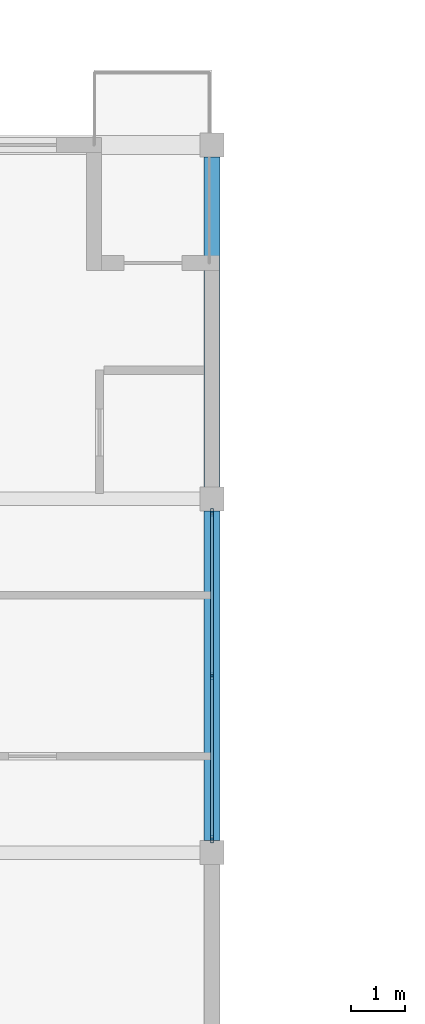
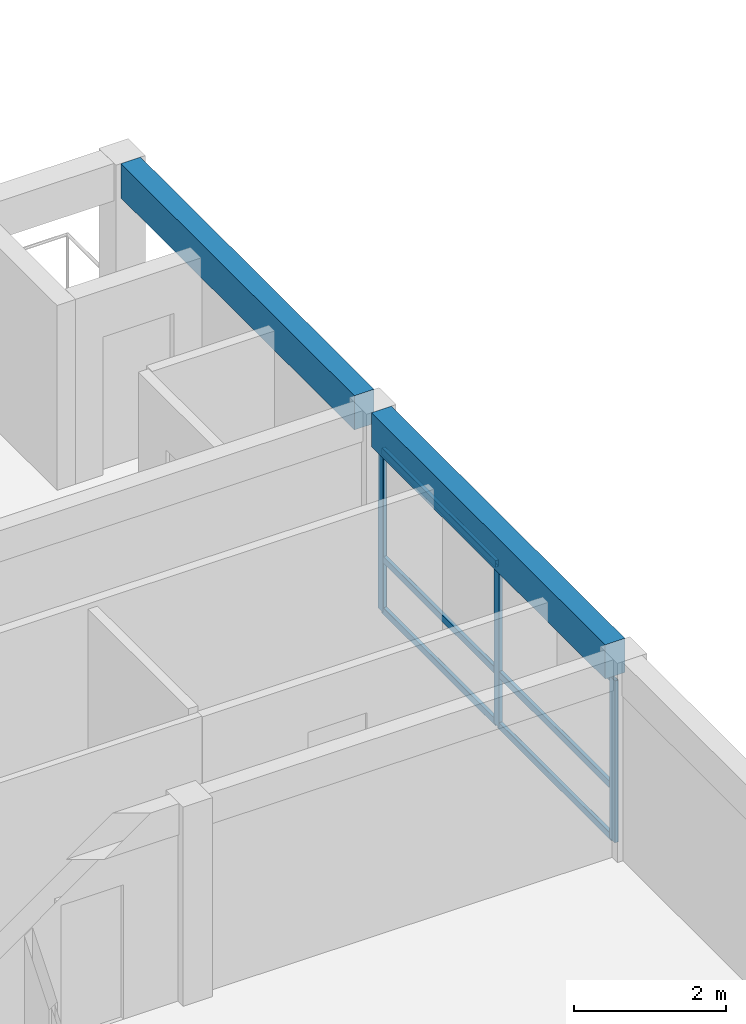
# One storey, part 11 of 34: 9 members, 2 beams, 1 element without a shape of its own.
"""IFC4 building model written with IfcOpenShell, lengths in metres."""

import ifcopenshell
import ifcopenshell.guid

model = None  # the IFC model being written
_history = None  # IfcOwnerHistory: only IFC2X3 demands one
_inside = {}  # id of a spatial element -> (the spatial element, [elements in it])
_under = {}  # id of a project, library or spatial element -> (it, [spatial elements below it])
_declared = {}  # id of a project -> (the project, [libraries it declares])
_typed = {}  # id of a type object -> (the type object, [elements of that type])
_made_of = {}  # id of a material, layer set ... -> (it, [elements and type objects made of it])


def new_model(schema):
    """Start an empty IFC model of exactly this schema.

    Asked for "IFC4X3", IfcOpenShell would pick the latest addendum, in which some entities
    have other attributes; the version numbers below select the first issue.
    IFC2X3 requires an IfcOwnerHistory on every rooted entity: one is made here for all.
    """
    global model, _history
    if schema == "IFC4X3":
        model = ifcopenshell.file(schema_version=(4, 3, 0, 0))
    else:
        model = ifcopenshell.file(schema=schema)
    _inside.clear()
    _under.clear()
    _declared.clear()
    _typed.clear()
    _made_of.clear()
    _history = None
    if model.schema == "IFC2X3":
        org = make("IfcOrganization", Name="unknown")
        user = make(
            "IfcPersonAndOrganization",
            ThePerson=make("IfcPerson", FamilyName="unknown"),
            TheOrganization=org,
        )
        app = make(
            "IfcApplication",
            ApplicationDeveloper=org,
            Version="unknown",
            ApplicationFullName="unknown",
            ApplicationIdentifier="unknown",
        )
        _history = make(
            "IfcOwnerHistory",
            OwningUser=user,
            OwningApplication=app,
            ChangeAction="ADDED",
            CreationDate=0,
        )
    return model


def make(cls, **values):
    """One entity of the class cls with the attributes given. An attribute that is None is left unset."""
    return model.create_entity(
        cls, **{name: value for name, value in values.items() if value is not None}
    )


def rooted(cls, **values):
    """An entity with a GlobalId (a new one), such as an element, a storey or a relation."""
    return make(cls, GlobalId=ifcopenshell.guid.new(), OwnerHistory=_history, **values)


def si_unit(unit_type, name, prefix=None):
    """IfcSIUnit, for example si_unit("LENGTHUNIT", "METRE", prefix="MILLI")."""
    return make("IfcSIUnit", UnitType=unit_type, Prefix=prefix, Name=name)


def assignment(units):
    """IfcUnitAssignment: the units of a project."""
    return None if units is None else make("IfcUnitAssignment", Units=units)


def point(xyz):
    """IfcCartesianPoint."""
    return None if xyz is None else make("IfcCartesianPoint", Coordinates=xyz)


def direction(xyz):
    """IfcDirection."""
    return None if xyz is None else make("IfcDirection", DirectionRatios=xyz)


def frame(location, z_axis=None, x_axis=None):
    """IfcAxis2Placement3D, a coordinate frame: its origin and axes. An axis left out is left unset."""
    return make(
        "IfcAxis2Placement3D",
        Location=point(location),
        Axis=direction(z_axis),
        RefDirection=direction(x_axis),
    )


def frame_2d(location, x_axis=None):
    """IfcAxis2Placement2D, a coordinate frame in the plane: its origin and x axis."""
    return make(
        "IfcAxis2Placement2D", Location=point(location), RefDirection=direction(x_axis)
    )


def origin():
    """The frame at (0, 0, 0) with its axes left unset."""
    return frame((0.0, 0.0, 0.0))


def origin_2d():
    """The frame at (0, 0) in the plane with its x axis left unset."""
    return frame_2d((0.0, 0.0))


def place(relative_to, where):
    """IfcLocalPlacement: puts the frame where relative to a parent placement (None: the world)."""
    return make(
        "IfcLocalPlacement", PlacementRelTo=relative_to, RelativePlacement=where
    )


def context(
    kind, dimensions, precision=None, world=None, true_north=None, identifier=None
):
    """IfcGeometricRepresentationContext, for example the 3D "Model" context."""
    return make(
        "IfcGeometricRepresentationContext",
        ContextIdentifier=identifier,
        ContextType=kind,
        CoordinateSpaceDimension=dimensions,
        Precision=precision,
        WorldCoordinateSystem=world,
        TrueNorth=true_north,
    )


def subcontext(parent, identifier, kind, view, scale=None):
    """IfcGeometricRepresentationSubContext, for example "Body" below "Model"."""
    return make(
        "IfcGeometricRepresentationSubContext",
        ContextIdentifier=identifier,
        ContextType=kind,
        ParentContext=parent,
        TargetScale=scale,
        TargetView=view,
    )


def project(units=None, contexts=None):
    """IfcProject with its units and contexts."""
    return rooted(
        "IfcProject",
        Name="project",
        RepresentationContexts=contexts,
        UnitsInContext=assignment(units),
    )


def spatial(cls, under=None, at=None, **own):
    """A site, building, storey or space (cls), placed at a placement, below another one or the project."""
    s = rooted(cls, ObjectPlacement=at, **own)
    if under is not None:
        _under.setdefault(under.id(), (under, []))[1].append(s)
    return s


def profile(cls, at=None, kind="AREA", **sizes):
    """A parametric profile (cls). Its sizes go by their IFC names, for example OverallWidth=200.0."""
    return make(cls, ProfileType=kind, Position=at, **sizes)


def rectangle(**sizes):
    """IfcRectangleProfileDef."""
    return profile("IfcRectangleProfileDef", **sizes)


def hollow_rectangle(**sizes):
    """IfcRectangleHollowProfileDef."""
    return profile("IfcRectangleHollowProfileDef", **sizes)


def extrude(swept, where, along, depth):
    """IfcExtrudedAreaSolid: the profile swept, set in the frame where, extruded along a direction by depth."""
    return make(
        "IfcExtrudedAreaSolid",
        SweptArea=swept,
        Position=where,
        ExtrudedDirection=direction(along),
        Depth=depth,
    )


def shape(context_of_items, identifier, shape_type, items):
    """IfcShapeRepresentation: the items that make up one representation, for example the "Body"."""
    return make(
        "IfcShapeRepresentation",
        ContextOfItems=context_of_items,
        RepresentationIdentifier=identifier,
        RepresentationType=shape_type,
        Items=items,
    )


def material(Name=None, Category=None):
    """IfcMaterial."""
    return make("IfcMaterial", Name=Name, Category=Category)


def material_profile(
    of_material, cross_section, Name=None, Category=None, Priority=None
):
    """IfcMaterialProfile: a cross section and its material."""
    return make(
        "IfcMaterialProfile",
        Name=Name,
        Material=of_material,
        Profile=cross_section,
        Priority=Priority,
        Category=Category,
    )


def profile_set(profiles, Name=None, composite=None):
    """IfcMaterialProfileSet."""
    return make(
        "IfcMaterialProfileSet",
        Name=Name,
        MaterialProfiles=profiles,
        CompositeProfile=composite,
    )


def made_of(thing, what):
    """Note that an element or type object is made of a material, layer set ...; save() writes the relation."""
    if what is not None:
        _made_of.setdefault(what.id(), (what, []))[1].append(thing)
    return thing


def type_object(cls, material=None, **own):
    """A type object (cls), such as IfcWallType, which elements share."""
    return made_of(rooted(cls, **own), material)


def element(
    cls,
    number,
    at=None,
    inside=None,
    cuts=None,
    type_object=None,
    material=None,
    context=None,
    identifier="Body",
    shape_type=None,
    held_by="IfcProductDefinitionShape",
    body=None,
    shapes=None,
    **own,
):
    """One element of the class cls, such as IfcWall. Its Tag is "e" and its number.

    at: its placement. inside: the storey or other place that contains it. cuts: it is an
    opening in that element (IfcRelVoidsElement). A single representation is given by context,
    identifier, shape_type and body (its items); several are given by shapes. held_by: the class
    of the entity that holds the representations. save() writes the other relations.
    """
    e = rooted(cls, Tag="e%d" % number, ObjectPlacement=at, **own)
    if body is not None:
        shapes = [shape(context, identifier, shape_type, body)]
    if shapes is not None:
        e.Representation = make(held_by, Representations=shapes)
    if inside is not None:
        _inside.setdefault(inside.id(), (inside, []))[1].append(e)
    if cuts is not None:
        rooted(
            "IfcRelVoidsElement", RelatingBuildingElement=cuts, RelatedOpeningElement=e
        )
    if type_object is not None:
        _typed.setdefault(type_object.id(), (type_object, []))[1].append(e)
    return made_of(e, material)


def aggregate(whole, parts):
    """IfcRelAggregates: a whole, such as a stair, and the parts it consists of."""
    return rooted("IfcRelAggregates", RelatingObject=whole, RelatedObjects=parts)


def save(model, path):
    """Write the relations noted so far, then the file.

    IfcRelAggregates (storeys below a building ...), IfcRelContainedInSpatialStructure (elements
    in a storey), IfcRelDefinesByType, IfcRelAssociatesMaterial and IfcRelDeclares: one each for
    every whole, place, type object, material and project.
    """
    for whole, parts in _under.values():
        aggregate(whole, parts)
    for where, things in _inside.values():
        rooted(
            "IfcRelContainedInSpatialStructure",
            RelatedElements=things,
            RelatingStructure=where,
        )
    for kind, things in _typed.values():
        rooted("IfcRelDefinesByType", RelatedObjects=things, RelatingType=kind)
    for what, things in _made_of.values():
        rooted("IfcRelAssociatesMaterial", RelatedObjects=things, RelatingMaterial=what)
    for by, libraries in _declared.values():
        rooted("IfcRelDeclares", RelatingContext=by, RelatedDefinitions=libraries)
    model.write(path)


model = new_model("IFC4")

# Units and contexts
model_context = context("Model", 3, precision=1e-05, world=origin(), true_north=direction((0.0, 1.0)))
body_context = subcontext(model_context, "Body", "Model", "MODEL_VIEW")
ifc_project = project(units=[si_unit("LENGTHUNIT", "METRE"), si_unit("AREAUNIT", "SQUARE_METRE"), si_unit("VOLUMEUNIT", "CUBIC_METRE"), si_unit("PLANEANGLEUNIT", "RADIAN"), si_unit("MASSUNIT", "GRAM", prefix="KILO")], contexts=[model_context])

# Site, building, storey
site_placement = place(None, origin())
site = spatial("IfcSite", under=ifc_project, at=site_placement, CompositionType="ELEMENT")
building_placement = place(site_placement, origin())
building = spatial("IfcBuilding", under=site, at=building_placement, Name="Kernevlak Ridge Housing Community", CompositionType="ELEMENT")
storey_placement = place(building_placement, frame((0.0, 0.0, 34.0)))
storey = spatial("IfcBuildingStorey", under=building, at=storey_placement, Name="L10", CompositionType="ELEMENT", Elevation=34.0)

# Curtain wall, members
ifc_material_1 = material(Name="Aluminium EN AW-6060 anodised and laminated glass", Category="aluminium")
curtain_wall_type = type_object("IfcCurtainWallType", Name="CW-12", PredefinedType="NOTDEFINED", material=ifc_material_1)
curtain_wall_placement = place(storey_placement, origin())
curtain_wall = element("IfcCurtainWall", 1, at=curtain_wall_placement, inside=storey, type_object=curtain_wall_type, Name="Curtain wall CW-12 CW-L10-033", PredefinedType="NOTDEFINED")
ifc_material_2 = material(Name="Aluminium EN AW-6060 anodised", Category="aluminium")
ifc_material_profile_1 = material_profile(ifc_material_2, hollow_rectangle(XDim=0.054931640625, YDim=0.139892578125, WallThickness=0.00390625, InnerFilletRadius=0.001953125, OuterFilletRadius=0.00390625, at=origin_2d()), Name="ALU 55x140x4")
ifc_profile_set_1 = profile_set([ifc_material_profile_1], Name="Aluminium EN AW-6060 anodised")
member_type_1 = type_object("IfcMemberType", Name="MU-01", PredefinedType="MULLION", material=ifc_profile_set_1)
member_1_placement = place(storey_placement, frame((48.60009765625, 82.8525390625, 0.0), z_axis=(0.0, 0.0, 1.0), x_axis=(-1.0, 0.0, 0.0)))
member_1 = element("IfcMember", 2, at=member_1_placement, type_object=member_type_1, Name="CW-12 mullion 1", PredefinedType="MULLION", context=body_context, shape_type="SweptSolid", body=[
    extrude(hollow_rectangle(XDim=0.054931640625, YDim=0.139892578125, WallThickness=0.00390625, InnerFilletRadius=0.001953125, OuterFilletRadius=0.00390625, at=origin_2d()), origin(), (0.0, 0.0, 1.0), 2.60009765625),
])
member_2_placement = place(storey_placement, frame((48.60009765625, 85.89990234375, 0.0), z_axis=(0.0, 0.0, 1.0), x_axis=(-1.0, 0.0, 0.0)))
member_2 = element("IfcMember", 3, at=member_2_placement, type_object=member_type_1, Name="CW-12 mullion 2", PredefinedType="MULLION", context=body_context, shape_type="SweptSolid", body=[
    extrude(hollow_rectangle(XDim=0.054931640625, YDim=0.139892578125, WallThickness=0.00390625, InnerFilletRadius=0.001953125, OuterFilletRadius=0.00390625, at=origin_2d()), origin(), (0.0, 0.0, 1.0), 2.60009765625),
])
member_3_placement = place(storey_placement, frame((48.60009765625, 88.947509765625, 0.0), z_axis=(0.0, 0.0, 1.0), x_axis=(-1.0, 0.0, 0.0)))
member_3 = element("IfcMember", 4, at=member_3_placement, type_object=member_type_1, Name="CW-12 mullion 3", PredefinedType="MULLION", context=body_context, shape_type="SweptSolid", body=[
    extrude(hollow_rectangle(XDim=0.054931640625, YDim=0.139892578125, WallThickness=0.00390625, InnerFilletRadius=0.001953125, OuterFilletRadius=0.00390625, at=origin_2d()), origin(), (0.0, 0.0, 1.0), 2.60009765625),
])

# Beams
ifc_material_3 = material(Name="Concrete C35/45", Category="concrete")
ifc_material_profile_2 = material_profile(ifc_material_3, rectangle(XDim=0.300048828125, YDim=0.550048828125, at=origin_2d()), Name="RC 300x550")
ifc_profile_set_2 = profile_set([ifc_material_profile_2], Name="Concrete C35/45")
beam_type = type_object("IfcBeamType", Name="SP-01", PredefinedType="SPANDREL", material=ifc_profile_set_2)
beam_1_placement = place(storey_placement, frame((48.60009765625, 82.824951171875, 2.925048828125), z_axis=(0.0, 1.0, 0.0), x_axis=(-1.0, 0.0, 0.0)))
element("IfcBeam", 5, at=beam_1_placement, inside=storey, type_object=beam_type, Name="Beam SP-01 L10 341", PredefinedType="SPANDREL", context=body_context, shape_type="SweptSolid", body=[
    extrude(rectangle(XDim=0.300048828125, YDim=0.550048828125, at=origin_2d()), origin(), (0.0, 0.0, 1.0), 6.150146484375),
])
beam_2_placement = place(storey_placement, frame((48.60009765625, 89.425048828125, 2.925048828125), z_axis=(0.0, 1.0, 0.0), x_axis=(-1.0, 0.0, 0.0)))
element("IfcBeam", 6, at=beam_2_placement, inside=storey, type_object=beam_type, Name="Beam SP-01 L10 342", PredefinedType="SPANDREL", context=body_context, shape_type="SweptSolid", body=[
    extrude(rectangle(XDim=0.300048828125, YDim=0.550048828125, at=origin_2d()), origin(), (0.0, 0.0, 1.0), 6.14990234375),
])

# Member
ifc_material_profile_3 = material_profile(ifc_material_2, hollow_rectangle(XDim=0.054931640625, YDim=0.110107421875, WallThickness=0.00390625, InnerFilletRadius=0.001953125, OuterFilletRadius=0.00390625, at=origin_2d()), Name="ALU 55x110x4")
ifc_profile_set_3 = profile_set([ifc_material_profile_3], Name="Aluminium EN AW-6060 anodised")
member_type_2 = type_object("IfcMemberType", Name="TM-01", PredefinedType="USERDEFINED", material=ifc_profile_set_3)
member_4_placement = place(storey_placement, frame((48.60009765625, 82.8798828125, 0.027587890625), z_axis=(0.0, 1.0, 0.0), x_axis=(-1.0, 0.0, 0.0)))
member_4 = element("IfcMember", 7, at=member_4_placement, type_object=member_type_2, Name="CW-12 transom 1.1", ObjectType="TRANSOM", PredefinedType="USERDEFINED", context=body_context, shape_type="SweptSolid", body=[
    extrude(hollow_rectangle(XDim=0.054931640625, YDim=0.110107421875, WallThickness=0.00390625, InnerFilletRadius=0.001953125, OuterFilletRadius=0.00390625, at=origin_2d()), origin(), (0.0, 0.0, 1.0), 2.99267578125),
])

member_5_placement = place(storey_placement, frame((48.60009765625, 82.8798828125, 0.85009765625), z_axis=(0.0, 1.0, 0.0), x_axis=(-1.0, 0.0, 0.0)))
member_5 = element("IfcMember", 8, at=member_5_placement, type_object=member_type_2, Name="CW-12 transom 1.2", ObjectType="TRANSOM", PredefinedType="USERDEFINED", context=body_context, shape_type="SweptSolid", body=[
    extrude(hollow_rectangle(XDim=0.054931640625, YDim=0.110107421875, WallThickness=0.00390625, InnerFilletRadius=0.001953125, OuterFilletRadius=0.00390625, at=origin_2d()), origin(), (0.0, 0.0, 1.0), 2.99267578125),
])

member_6_placement = place(storey_placement, frame((48.60009765625, 82.8798828125, 2.572509765625), z_axis=(0.0, 1.0, 0.0), x_axis=(-1.0, 0.0, 0.0)))
member_6 = element("IfcMember", 9, at=member_6_placement, type_object=member_type_2, Name="CW-12 transom 1.3", ObjectType="TRANSOM", PredefinedType="USERDEFINED", context=body_context, shape_type="SweptSolid", body=[
    extrude(hollow_rectangle(XDim=0.054931640625, YDim=0.110107421875, WallThickness=0.00390625, InnerFilletRadius=0.001953125, OuterFilletRadius=0.00390625, at=origin_2d()), origin(), (0.0, 0.0, 1.0), 2.99267578125),
])

member_7_placement = place(storey_placement, frame((48.60009765625, 85.927490234375, 0.027587890625), z_axis=(0.0, 1.0, 0.0), x_axis=(-1.0, 0.0, 0.0)))
member_7 = element("IfcMember", 10, at=member_7_placement, type_object=member_type_2, Name="CW-12 transom 2.1", ObjectType="TRANSOM", PredefinedType="USERDEFINED", context=body_context, shape_type="SweptSolid", body=[
    extrude(hollow_rectangle(XDim=0.054931640625, YDim=0.110107421875, WallThickness=0.00390625, InnerFilletRadius=0.001953125, OuterFilletRadius=0.00390625, at=origin_2d()), origin(), (0.0, 0.0, 1.0), 2.992431640625),
])

member_8_placement = place(storey_placement, frame((48.60009765625, 85.927490234375, 0.85009765625), z_axis=(0.0, 1.0, 0.0), x_axis=(-1.0, 0.0, 0.0)))
member_8 = element("IfcMember", 11, at=member_8_placement, type_object=member_type_2, Name="CW-12 transom 2.2", ObjectType="TRANSOM", PredefinedType="USERDEFINED", context=body_context, shape_type="SweptSolid", body=[
    extrude(hollow_rectangle(XDim=0.054931640625, YDim=0.110107421875, WallThickness=0.00390625, InnerFilletRadius=0.001953125, OuterFilletRadius=0.00390625, at=origin_2d()), origin(), (0.0, 0.0, 1.0), 2.992431640625),
])

member_9_placement = place(storey_placement, frame((48.60009765625, 85.927490234375, 2.572509765625), z_axis=(0.0, 1.0, 0.0), x_axis=(-1.0, 0.0, 0.0)))
member_9 = element("IfcMember", 12, at=member_9_placement, type_object=member_type_2, Name="CW-12 transom 2.3", ObjectType="TRANSOM", PredefinedType="USERDEFINED", context=body_context, shape_type="SweptSolid", body=[
    extrude(hollow_rectangle(XDim=0.054931640625, YDim=0.110107421875, WallThickness=0.00390625, InnerFilletRadius=0.001953125, OuterFilletRadius=0.00390625, at=origin_2d()), origin(), (0.0, 0.0, 1.0), 2.992431640625),
])

aggregate(curtain_wall, [member_1, member_2, member_3, member_4, member_5, member_6, member_7, member_8, member_9])

save(model, "model.ifc")
